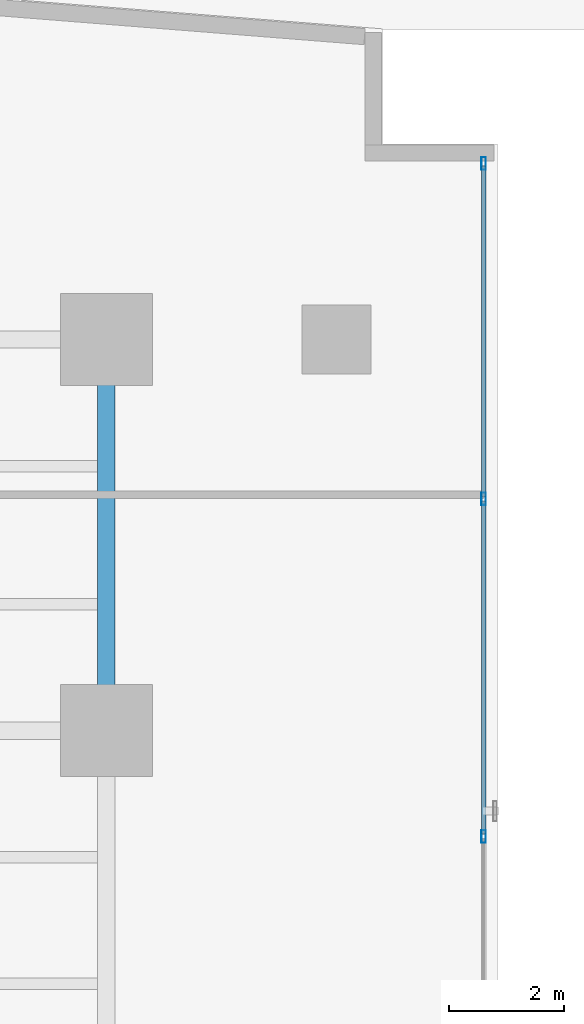
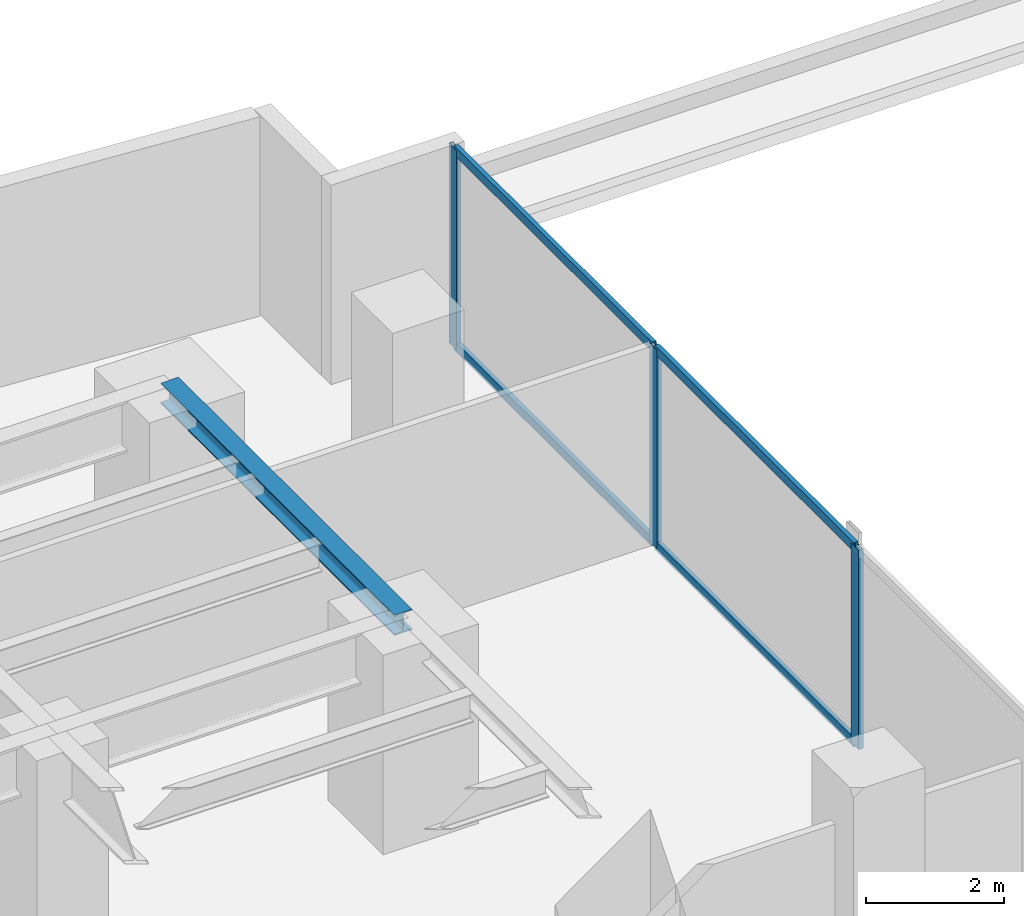
# One storey, part 19 of 29: 7 members, 1 beam, 1 element without a shape of its own.
"""IFC4 building model written with IfcOpenShell, lengths in metres."""

from ifc_helpers import new_model, si_unit, direction, frame, origin, origin_with_axes, origin_2d, place, context, subcontext, project, spatial, hollow_rectangle, i_section, extrude, source, transform, mapped, material, layer, layer_set, material_profile, profile_set, type_object, element, aggregate, save


model = new_model("IFC4")

# Units and contexts
model_context = context("Model", 3, precision=1e-05, world=origin(), true_north=direction((0.0, 1.0)))
body_context = subcontext(model_context, "Body", "Model", "MODEL_VIEW")
ifc_project = project(units=[si_unit("LENGTHUNIT", "METRE"), si_unit("AREAUNIT", "SQUARE_METRE"), si_unit("VOLUMEUNIT", "CUBIC_METRE"), si_unit("PLANEANGLEUNIT", "RADIAN"), si_unit("MASSUNIT", "GRAM", prefix="KILO")], contexts=[model_context])

# Site, building, storey
site_placement = place(None, origin())
site = spatial("IfcSite", under=ifc_project, at=site_placement, CompositionType="ELEMENT")
building_placement = place(site_placement, origin())
building = spatial("IfcBuilding", under=site, at=building_placement, Name="Kolvaren Waterfront Exchange", CompositionType="ELEMENT")
storey_placement = place(building_placement, frame((0.0, 0.0, 29.60009765625)))
storey = spatial("IfcBuildingStorey", under=building, at=storey_placement, Name="L07", CompositionType="ELEMENT", Elevation=29.60009765625)

# Beam
ifc_material_1 = material(Name="Steel S355", Category="steel")
ifc_material_profile_1 = material_profile(ifc_material_1, i_section(OverallWidth=0.300048828125, OverallDepth=0.360107421875, WebThickness=0.012451171875, FlangeThickness=0.0224609375, FilletRadius=0.027099609375, at=origin_2d()), Name="HEB360")
ifc_profile_set_1 = profile_set([ifc_material_profile_1], Name="Steel S355")
beam_type = type_object("IfcBeamType", Name="STR-BM-HEB360", PredefinedType="SPANDREL", material=ifc_profile_set_1)
beam_placement = place(storey_placement, frame((18.800048828125, 37.800048828125, 3.35986328125), z_axis=(0.0, 1.0, 0.0), x_axis=(-1.0, 0.0, 0.0)))
element("IfcBeam", 1, at=beam_placement, inside=storey, type_object=beam_type, Name="L07 north-arm edge beam 3", PredefinedType="SPANDREL", context=body_context, shape_type="SweptSolid", body=[
    extrude(i_section(OverallWidth=0.300048828125, OverallDepth=0.360107421875, WebThickness=0.012451171875, FlangeThickness=0.0224609375, FilletRadius=0.027099609375, at=origin_2d()), origin(), (0.0, 0.0, 1.0), 6.800048828125),
])

# Curtain wall, members
ifc_material_2 = material(Name="Anodised bronze aluminium 6063-T6", Category="aluminium")
ifc_layer = layer(ifc_material_2, 0.219970703125, Name="Anodised bronze aluminium 6063-T6")
ifc_layer_set = layer_set([ifc_layer], Name="Anodised bronze aluminium 6063-T6")
curtain_wall_type = type_object("IfcCurtainWallType", Name="ARC-CW-SYS1", PredefinedType="USERDEFINED", material=ifc_layer_set)
curtain_wall_placement = place(storey_placement, origin())
curtain_wall = element("IfcCurtainWall", 2, at=curtain_wall_placement, inside=storey, type_object=curtain_wall_type, Name="L07 stick curtain wall CW1 (CW-L07-NE)", ObjectType="STICK CURTAIN WALL", PredefinedType="USERDEFINED")
ifc_material_3 = material(Name="Anodised aluminium 6063-T6", Category="aluminium")
ifc_material_profile_2 = material_profile(ifc_material_3, hollow_rectangle(XDim=0.080078125, YDim=0.219970703125, WallThickness=0.0048828125, at=origin_2d()), Name="ALU-MUL-220x80x5")
ifc_profile_set_2 = profile_set([ifc_material_profile_2], Name="Anodised aluminium 6063-T6")
member_type_1 = type_object("IfcMemberType", Name="ARC-CWM-220", PredefinedType="MULLION", material=ifc_profile_set_2)
shared_shape_1 = source(origin_with_axes(), body_context, "Body", "SweptSolid", [
    extrude(hollow_rectangle(XDim=0.080078125, YDim=0.219970703125, WallThickness=0.0048828125, at=origin_2d()), origin(), (0.0, 0.0, 1.0), 3.539794921875),
])
member_1_placement = place(storey_placement, frame((25.360107421875, 35.9599609375, 0.0), z_axis=(0.0, 0.0, 1.0), x_axis=(-1.0, 0.0, 0.0)))
member_1 = element("IfcMember", 3, at=member_1_placement, type_object=member_type_1, Name="CW1 mullion 2", PredefinedType="MULLION", context=body_context, shape_type="MappedRepresentation", body=[
    mapped(shared_shape_1, transform((0.0, 0.0, 0.0), x_axis=(1.0, 0.0, 0.0), y_axis=(0.0, 1.0, 0.0), z_axis=(0.0, 0.0, 1.0), scale=1.0)),
])
member_2_placement = place(storey_placement, frame((25.360107421875, 41.830078125, 0.0), z_axis=(0.0, 0.0, 1.0), x_axis=(-1.0, 0.0, 0.0)))
member_2 = element("IfcMember", 4, at=member_2_placement, type_object=member_type_1, Name="CW1 mullion 3", PredefinedType="MULLION", context=body_context, shape_type="MappedRepresentation", body=[
    mapped(shared_shape_1, transform((0.0, 0.0, 0.0), x_axis=(1.0, 0.0, 0.0), y_axis=(0.0, 1.0, 0.0), z_axis=(0.0, 0.0, 1.0), scale=1.0)),
])
member_3_placement = place(storey_placement, frame((25.360107421875, 47.659912109375, 0.0), z_axis=(0.0, 0.0, 1.0), x_axis=(-1.0, 0.0, 0.0)))
member_3 = element("IfcMember", 5, at=member_3_placement, type_object=member_type_1, Name="CW1 mullion 4", PredefinedType="MULLION", context=body_context, shape_type="MappedRepresentation", body=[
    mapped(shared_shape_1, transform((0.0, 0.0, 0.0), x_axis=(1.0, 0.0, 0.0), y_axis=(0.0, 1.0, 0.0), z_axis=(0.0, 0.0, 1.0), scale=1.0)),
])
ifc_material_profile_3 = material_profile(ifc_material_3, hollow_rectangle(XDim=0.074951171875, YDim=0.159912109375, WallThickness=0.00439453125, at=origin_2d()), Name="ALU-TRN-160x75x4.5")
ifc_profile_set_3 = profile_set([ifc_material_profile_3], Name="Anodised aluminium 6063-T6")
member_type_2 = type_object("IfcMemberType", Name="ARC-CWT-160", PredefinedType="USERDEFINED", material=ifc_profile_set_3)
shared_shape_2 = source(origin_with_axes(), body_context, "Body", "SweptSolid", [
    extrude(hollow_rectangle(XDim=0.074951171875, YDim=0.159912109375, WallThickness=0.00439453125, at=origin_2d()), origin(), (0.0, 0.0, 1.0), 5.75),
])
member_4_placement = place(storey_placement, frame((25.360107421875, 41.8701171875, 0.037353515625), z_axis=(0.0, 1.0, 0.0), x_axis=(-1.0, 0.0, 0.0)))
member_4 = element("IfcMember", 6, at=member_4_placement, type_object=member_type_2, Name="CW1 transom 3.1", ObjectType="TRANSOM", PredefinedType="USERDEFINED", context=body_context, shape_type="MappedRepresentation", body=[
    mapped(shared_shape_2, transform((0.0, 0.0, 0.0), x_axis=(1.0, 0.0, 0.0), y_axis=(0.0, 1.0, 0.0), z_axis=(0.0, 0.0, 1.0), scale=1.0)),
])
member_5_placement = place(storey_placement, frame((25.360107421875, 41.8701171875, 3.50244140625), z_axis=(0.0, 1.0, 0.0), x_axis=(-1.0, 0.0, 0.0)))
member_5 = element("IfcMember", 7, at=member_5_placement, type_object=member_type_2, Name="CW1 transom 3.2", ObjectType="TRANSOM", PredefinedType="USERDEFINED", context=body_context, shape_type="MappedRepresentation", body=[
    mapped(shared_shape_2, transform((0.0, 0.0, 0.0), x_axis=(1.0, 0.0, 0.0), y_axis=(0.0, 1.0, 0.0), z_axis=(0.0, 0.0, 1.0), scale=1.0)),
])
shared_shape_3 = source(origin_with_axes(), body_context, "Body", "SweptSolid", [
    extrude(hollow_rectangle(XDim=0.074951171875, YDim=0.159912109375, WallThickness=0.00439453125, at=origin_2d()), origin(), (0.0, 0.0, 1.0), 5.7900390625),
])
member_6_placement = place(storey_placement, frame((25.360107421875, 36.0, 0.037353515625), z_axis=(0.0, 1.0, 0.0), x_axis=(-1.0, 0.0, 0.0)))
member_6 = element("IfcMember", 8, at=member_6_placement, type_object=member_type_2, Name="CW1 transom 2.1", ObjectType="TRANSOM", PredefinedType="USERDEFINED", context=body_context, shape_type="MappedRepresentation", body=[
    mapped(shared_shape_3, transform((0.0, 0.0, 0.0), x_axis=(1.0, 0.0, 0.0), y_axis=(0.0, 1.0, 0.0), z_axis=(0.0, 0.0, 1.0), scale=1.0)),
])
member_7_placement = place(storey_placement, frame((25.360107421875, 36.0, 3.50244140625), z_axis=(0.0, 1.0, 0.0), x_axis=(-1.0, 0.0, 0.0)))
member_7 = element("IfcMember", 9, at=member_7_placement, type_object=member_type_2, Name="CW1 transom 2.2", ObjectType="TRANSOM", PredefinedType="USERDEFINED", context=body_context, shape_type="MappedRepresentation", body=[
    mapped(shared_shape_3, transform((0.0, 0.0, 0.0), x_axis=(1.0, 0.0, 0.0), y_axis=(0.0, 1.0, 0.0), z_axis=(0.0, 0.0, 1.0), scale=1.0)),
])
aggregate(curtain_wall, [member_1, member_2, member_3, member_6, member_7, member_4, member_5])

save(model, "model.ifc")
